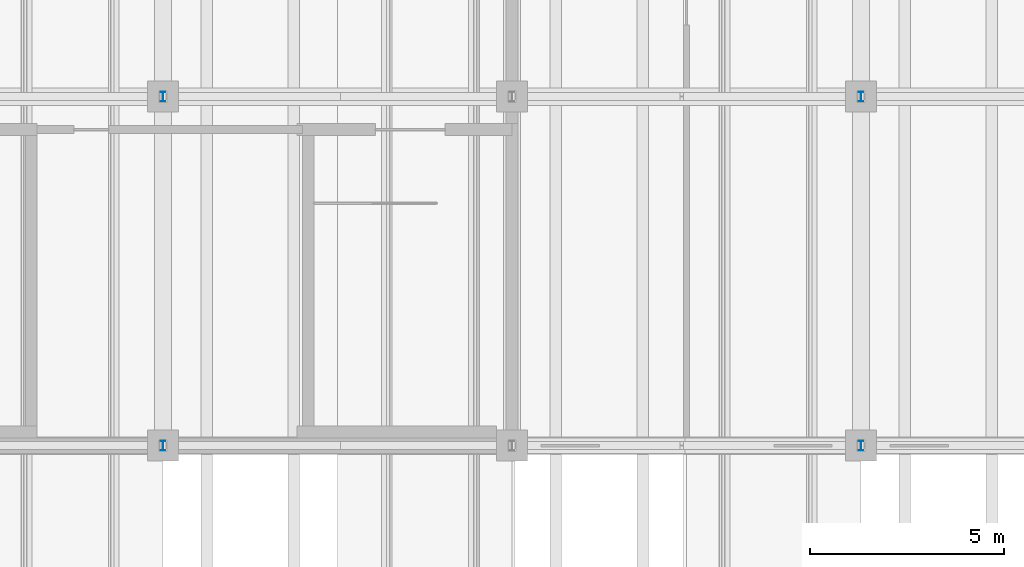
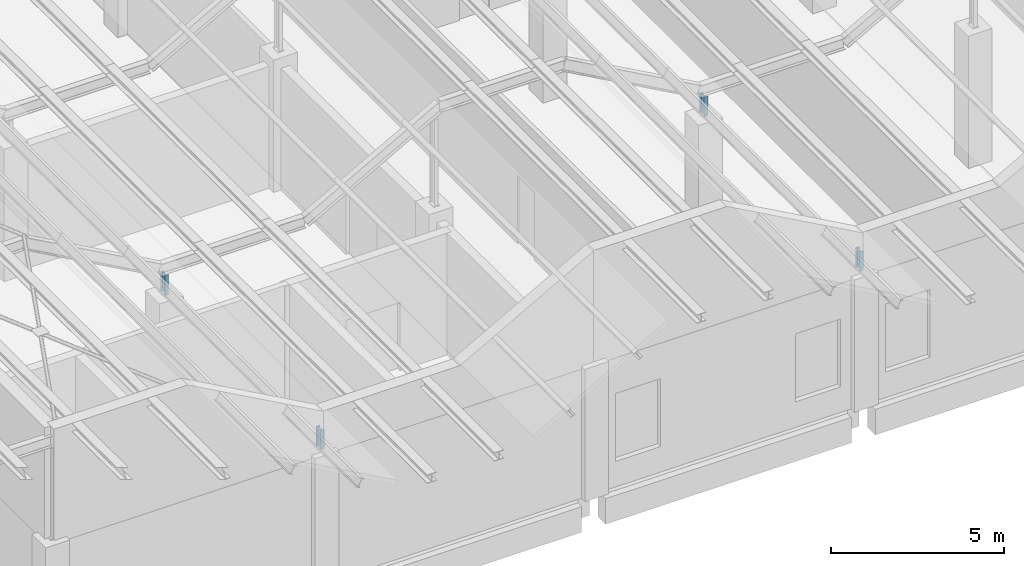
# One storey, part 220 of 437: 4 members.
"""IFC4 building model written with IfcOpenShell, lengths in metres."""

from ifc_helpers import new_model, si_unit, direction, frame, origin, origin_2d, place, context, subcontext, project, spatial, i_section, extrude, material, material_profile, profile_set, type_object, element, save


model = new_model("IFC4")

# Units and contexts
model_context = context("Model", 3, precision=1e-05, world=origin(), true_north=direction((0.0, 1.0)))
body_context = subcontext(model_context, "Body", "Model", "MODEL_VIEW")
ifc_project = project(units=[si_unit("LENGTHUNIT", "METRE"), si_unit("AREAUNIT", "SQUARE_METRE"), si_unit("VOLUMEUNIT", "CUBIC_METRE"), si_unit("PLANEANGLEUNIT", "RADIAN"), si_unit("MASSUNIT", "GRAM", prefix="KILO")], contexts=[model_context])

# Site, building, storey
site_placement = place(None, origin())
site = spatial("IfcSite", under=ifc_project, at=site_placement, CompositionType="ELEMENT")
building_placement = place(site_placement, origin())
building = spatial("IfcBuilding", under=site, at=building_placement, Name="Opaline Strait Convention Centre", CompositionType="ELEMENT")
storey_placement = place(building_placement, frame((0.0, 0.0, 11.5)))
storey = spatial("IfcBuildingStorey", under=building, at=storey_placement, Name="L02", CompositionType="ELEMENT", Elevation=11.5)

# Members
ifc_material = material(Name="Steel Q355B", Category="steel")
ifc_material_profile = material_profile(ifc_material, i_section(OverallWidth=0.125, OverallDepth=0.25, WebThickness=0.006103515625, FlangeThickness=0.009033203125, FilletRadius=0.008056640625, at=origin_2d()), Name="HN 250x125x6x9")
ifc_profile_set = profile_set([ifc_material_profile], Name="Steel Q355B")
member_type = type_object("IfcMemberType", Name="Roof post HN 250x125x6x9", PredefinedType="STRUT", material=ifc_profile_set)
for number, where, z_axis, x_axis, name in (
    (1, (18.0, 9.0, 4.68994140625), (0.0, 0.0, 1.0), (1.0, 0.0, 0.0), "RP1 roof post at 18/9"),
    (2, (36.0, 9.0, 4.68994140625), (0.0, 0.0, 1.0), (1.0, 0.0, 0.0), "RP1 roof post at 36/9"),
    (3, (18.0, 18.0, 4.68994140625), (0.0, 0.0, 1.0), (1.0, 0.0, 0.0), "RP1 roof post at 18/18"),
    (4, (36.0, 18.0, 4.68994140625), (0.0, 0.0, 1.0), (1.0, 0.0, 0.0), "RP1 roof post at 36/18"),
):
    element("IfcMember", number, at=place(storey_placement, frame(where, z_axis=z_axis, x_axis=x_axis)), inside=storey, type_object=member_type, Name=name, PredefinedType="STRUT", context=body_context, shape_type="SweptSolid", body=[
        extrude(i_section(OverallWidth=0.125, OverallDepth=0.25, WebThickness=0.006103515625, FlangeThickness=0.009033203125, FilletRadius=0.008056640625, at=origin_2d()), origin(), (0.0, 0.0, 1.0), 0.695068359375),
    ])

save(model, "model.ifc")
